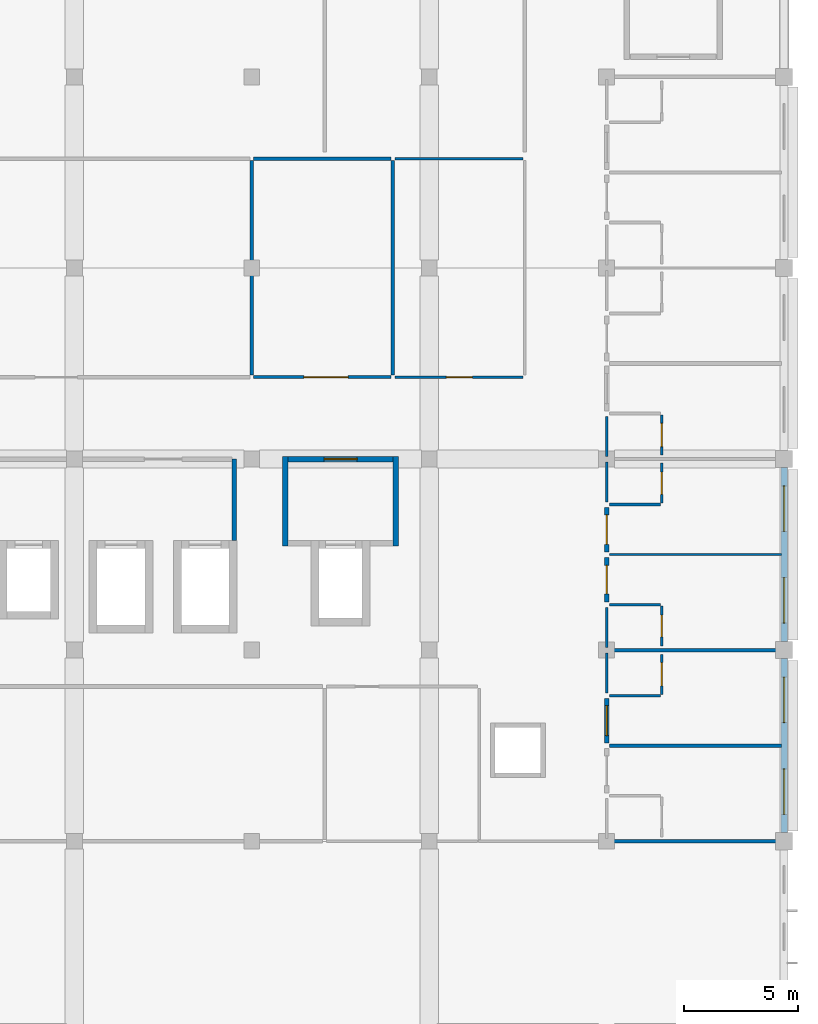
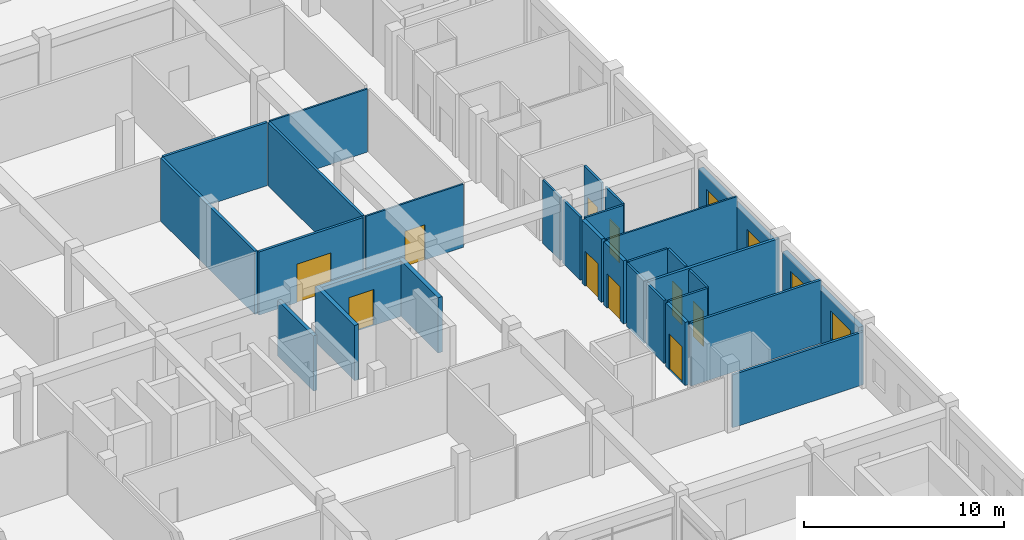
# One storey, part 35 of 53: 30 walls, 10 doors, 4 windows, 14 openings.
"""IFC4 building model written with IfcOpenShell, lengths in metres."""

from ifc_helpers import new_model, si_unit, direction, frame, frame_2d, origin, place, context, subcontext, project, spatial, rectangle, extrude, material, layer, layer_set, type_object, element, fill, save


model = new_model("IFC4")

# Units and contexts
model_context = context("Model", 3, precision=1e-05, world=origin(), true_north=direction((0.0, 1.0)))
body_context = subcontext(model_context, "Body", "Model", "MODEL_VIEW")
ifc_project = project(units=[si_unit("LENGTHUNIT", "METRE"), si_unit("AREAUNIT", "SQUARE_METRE"), si_unit("VOLUMEUNIT", "CUBIC_METRE"), si_unit("PLANEANGLEUNIT", "RADIAN"), si_unit("MASSUNIT", "GRAM", prefix="KILO"), si_unit("THERMODYNAMICTEMPERATUREUNIT", "KELVIN"), si_unit("POWERUNIT", "WATT")], contexts=[model_context])

# Site, building, storey
site_placement = place(None, origin())
site = spatial("IfcSite", under=ifc_project, at=site_placement, CompositionType="ELEMENT")
building_placement = place(site_placement, origin())
building = spatial("IfcBuilding", under=site, at=building_placement, Name="Srebrne Nadtorze General Hospital", CompositionType="ELEMENT")
storey_placement = place(building_placement, frame((0.0, 0.0, 18.0)))
storey = spatial("IfcBuildingStorey", under=building, at=storey_placement, Name="L04", CompositionType="ELEMENT", Elevation=18.0)

# Walls
ifc_material_1 = material(Name="Gypsum Healthcare Partition")
ifc_layer_1 = layer(ifc_material_1, 0.139892578125)
ifc_layer_set_1 = layer_set([ifc_layer_1], Name="Gypsum Healthcare Partition")
wall_type_1 = type_object("IfcWallType", Name="Clinical partition 140", PredefinedType="PARTITIONING", material=ifc_layer_set_1)
wall_1_placement = place(storey_placement, frame((140.52001953125, 33.60009765625, 0.0), z_axis=(0.0, 0.0, 1.0), x_axis=(1.0, 0.0, 0.0)))
element("IfcWall", 1, at=wall_1_placement, inside=storey, type_object=wall_type_1, Name="Ward inter-room partition WL-INT-L04-1776", PredefinedType="PARTITIONING", context=body_context, shape_type="SweptSolid", body=[
    extrude(rectangle(XDim=7.56005859375, YDim=0.139892578125, at=frame_2d((3.780029296875, 0.0))), origin(), (0.0, 0.0, 1.0), 3.235107421875),
])
wall_2_placement = place(storey_placement, frame((140.52001953125, 37.800048828125, 0.0), z_axis=(0.0, 0.0, 1.0), x_axis=(1.0, 0.0, 0.0)))
element("IfcWall", 2, at=wall_2_placement, inside=storey, type_object=wall_type_1, Name="Ward inter-room partition WL-INT-L04-1777", PredefinedType="PARTITIONING", context=body_context, shape_type="SweptSolid", body=[
    extrude(rectangle(XDim=7.56005859375, YDim=0.139892578125, at=frame_2d((3.780029296875, 0.0))), origin(), (0.0, 0.0, 1.0), 3.864990234375),
])

# Wall, opening, door
wall_3_placement = place(storey_placement, frame((124.885009765625, 54.0, 0.0), z_axis=(0.0, 0.0, 1.0), x_axis=(1.0, 0.0, 0.0)))
wall_3 = element("IfcWall", 3, at=wall_3_placement, inside=storey, type_object=wall_type_1, Name="Clean Utility wall WL-INT-L04-1842", PredefinedType="PARTITIONING", context=body_context, shape_type="SweptSolid", body=[
    extrude(rectangle(XDim=6.030029296875, YDim=0.139892578125, at=frame_2d((3.01513671875, 0.0))), origin(), (0.0, 0.0, 1.0), 3.864990234375),
])
opening_1_placement = place(wall_3_placement, frame((2.20263671875, 0.0, 0.0)))
opening_1 = element("IfcOpeningElement", 4, at=opening_1_placement, cuts=wall_3, Name="Opening D-L04-0350", PredefinedType="OPENING", context=body_context, shape_type="SweptSolid", body=[
    extrude(rectangle(XDim=1.949951171875, YDim=2.35009765625, at=frame_2d((0.97509765625, 1.175048828125))), frame((0.0, 0.08203125, 0.0), z_axis=(0.0, -1.0, 0.0), x_axis=(1.0, 0.0, 0.0)), (0.0, 0.0, 1.0), 0.163818359375),
])
ifc_material_2 = material(Name="Anodised Aluminium", Category="aluminium")
door_type_1 = type_object("IfcDoorType", Name="Double leaf door 1950x2350", OperationType="DOUBLE_DOOR_SINGLE_SWING", PredefinedType="DOOR", material=ifc_material_2)
door_1_placement = place(opening_1_placement, origin())
door_1 = element("IfcDoor", 5, at=door_1_placement, inside=storey, type_object=door_type_1, Name="Clean Utility door D-L04-0350", OperationType="DOUBLE_DOOR_SINGLE_SWING", OverallHeight=2.35009765625, OverallWidth=1.949951171875, PredefinedType="DOOR", context=body_context, shape_type="SweptSolid", body=[
    extrude(rectangle(XDim=1.949951171875, YDim=2.35009765625, at=frame_2d((0.97509765625, 1.175048828125))), frame((0.0, 0.02490234375, 0.0), z_axis=(0.0, -1.0, 0.0), x_axis=(1.0, 0.0, 0.0)), (0.0, 0.0, 1.0), 0.050048828125),
])
fill(opening_1, door_1)

# Walls
wall_4_placement = place(storey_placement, frame((124.885009765625, 63.60009765625, 0.0), z_axis=(0.0, 0.0, 1.0), x_axis=(1.0, 0.0, 0.0)))
element("IfcWall", 6, at=wall_4_placement, inside=storey, type_object=wall_type_1, Name="Clean Utility wall WL-INT-L04-1843", PredefinedType="PARTITIONING", context=body_context, shape_type="SweptSolid", body=[
    extrude(rectangle(XDim=6.030029296875, YDim=0.139892578125, at=frame_2d((3.01513671875, 0.0))), origin(), (0.0, 0.0, 1.0), 3.864990234375),
])
wall_5_placement = place(storey_placement, frame((131.0, 54.0849609375, 0.0), z_axis=(0.0, 0.0, 1.0), x_axis=(0.0, 1.0, 0.0)))
element("IfcWall", 7, at=wall_5_placement, inside=storey, type_object=wall_type_1, Name="Clean Utility wall WL-INT-L04-1844", PredefinedType="PARTITIONING", context=body_context, shape_type="SweptSolid", body=[
    extrude(rectangle(XDim=9.429931640625, YDim=0.139892578125, at=frame_2d((4.71484375, 0.0))), origin(), (0.0, 0.0, 1.0), 3.864990234375),
])
ifc_material_3 = material(Name="Gypsum Healthcare Partition")
ifc_layer_2 = layer(ifc_material_3, 0.159912109375)
ifc_layer_set_2 = layer_set([ifc_layer_2], Name="Gypsum Healthcare Partition")
wall_type_2 = type_object("IfcWallType", Name="Clinical partition 160", PredefinedType="PARTITIONING", material=ifc_layer_set_2)
wall_6_placement = place(storey_placement, frame((140.52001953125, 42.0, 0.0), z_axis=(0.0, 0.0, 1.0), x_axis=(1.0, 0.0, 0.0)))
element("IfcWall", 8, at=wall_6_placement, inside=storey, type_object=wall_type_2, Name="Ward inter-room partition WL-INT-L04-1782", PredefinedType="PARTITIONING", context=body_context, shape_type="SweptSolid", body=[
    extrude(rectangle(XDim=7.56005859375, YDim=0.159912109375, at=frame_2d((3.780029296875, 0.0))), origin(), (0.0, 0.0, 1.0), 3.864990234375),
])
wall_7_placement = place(storey_placement, frame((124.800048828125, 54.0849609375, 0.0), z_axis=(0.0, 0.0, 1.0), x_axis=(0.0, 1.0, 0.0)))
element("IfcWall", 9, at=wall_7_placement, inside=storey, type_object=wall_type_2, Name="Nursing Station wall WL-INT-L04-1841", PredefinedType="PARTITIONING", context=body_context, shape_type="SweptSolid", body=[
    extrude(rectangle(XDim=9.429931640625, YDim=0.159912109375, at=frame_2d((4.71484375, 0.0))), origin(), (0.0, 0.0, 1.0), 3.864990234375),
])
ifc_material_4 = material(Name="Gypsum Healthcare Partition")
ifc_layer_3 = layer(ifc_material_4, 0.199951171875)
ifc_layer_set_3 = layer_set([ifc_layer_3], Name="Gypsum Healthcare Partition")
wall_type_3 = type_object("IfcWallType", Name="Compartment wall 200", PredefinedType="STANDARD", material=ifc_layer_set_3)
wall_8_placement = place(storey_placement, frame((124.02001953125, 46.81005859375, 0.0), z_axis=(0.0, 0.0, 1.0), x_axis=(0.0, 1.0, 0.0)))
element("IfcWall", 10, at=wall_8_placement, inside=storey, type_object=wall_type_3, Name="Lift lobby side wall WL-INT-L04-1074", PredefinedType="STANDARD", context=body_context, shape_type="SweptSolid", body=[
    extrude(rectangle(XDim=3.58984375, YDim=0.199951171875, at=frame_2d((1.794921875, 0.0))), origin(), (0.0, 0.0, 1.0), 3.385009765625),
])

# Wall, opening, door
wall_9_placement = place(storey_placement, frame((140.39990234375, 37.919921875, 0.0), z_axis=(0.0, 0.0, 1.0), x_axis=(0.0, 1.0, 0.0)))
wall_9 = element("IfcWall", 11, at=wall_9_placement, inside=storey, type_object=wall_type_3, Name="Ward corridor wall WL-INT-L04-1783", PredefinedType="STANDARD", context=body_context, shape_type="SweptSolid", body=[
    extrude(rectangle(XDim=1.9599609375, YDim=0.199951171875, at=frame_2d((0.97998046875, 0.0))), origin(), (0.0, 0.0, 1.0), 3.864990234375),
])
opening_2_placement = place(wall_9_placement, frame((0.320068359375, 0.0, 0.0)))
opening_2 = element("IfcOpeningElement", 12, at=opening_2_placement, cuts=wall_9, Name="Opening D-L04-0328", PredefinedType="OPENING", context=body_context, shape_type="SweptSolid", body=[
    extrude(rectangle(XDim=1.320068359375, YDim=2.199951171875, at=frame_2d((0.66015625, 1.10009765625))), frame((0.0, 0.11181640625, 0.0), z_axis=(0.0, -1.0, 0.0), x_axis=(1.0, 0.0, 0.0)), (0.0, 0.0, 1.0), 0.223876953125),
])
ifc_material_5 = material(Name="Anodised Aluminium", Category="aluminium")
door_type_2 = type_object("IfcDoorType", Name="Single leaf door 1320x2200", OperationType="NOTDEFINED", PredefinedType="DOOR", material=ifc_material_5)
door_2_placement = place(opening_2_placement, frame((1.320068359375, 0.0, 0.0), z_axis=(0.0, 0.0, 1.0), x_axis=(-1.0, 0.0, 0.0)))
door_2 = element("IfcDoor", 13, at=door_2_placement, inside=storey, type_object=door_type_2, Name="Ward patient room door D-L04-0328", OperationType="SINGLE_SWING_RIGHT", OverallHeight=2.199951171875, OverallWidth=1.320068359375, PredefinedType="DOOR", context=body_context, shape_type="SweptSolid", body=[
    extrude(rectangle(XDim=1.320068359375, YDim=2.199951171875, at=frame_2d((0.66015625, 1.10009765625))), frame((0.0, 0.02490234375, 0.0), z_axis=(0.0, -1.0, 0.0), x_axis=(1.0, 0.0, 0.0)), (0.0, 0.0, 1.0), 0.050048828125),
])
fill(opening_2, door_2)

wall_10_placement = place(storey_placement, frame((140.39990234375, 44.1201171875, 0.0), z_axis=(0.0, 0.0, 1.0), x_axis=(0.0, 1.0, 0.0)))
wall_10 = element("IfcWall", 14, at=wall_10_placement, inside=storey, type_object=wall_type_3, Name="Ward corridor wall WL-INT-L04-1788", PredefinedType="STANDARD", context=body_context, shape_type="SweptSolid", body=[
    extrude(rectangle(XDim=1.9599609375, YDim=0.199951171875, at=frame_2d((0.97998046875, 0.0))), origin(), (0.0, 0.0, 1.0), 3.864990234375),
])
opening_3_placement = place(wall_10_placement, frame((0.35009765625, 0.0, 0.0)))
opening_3 = element("IfcOpeningElement", 15, at=opening_3_placement, cuts=wall_10, Name="Opening D-L04-0330", PredefinedType="OPENING", context=body_context, shape_type="SweptSolid", body=[
    extrude(rectangle(XDim=1.260009765625, YDim=2.10009765625, at=frame_2d((0.6298828125, 1.050048828125))), frame((0.0, 0.11181640625, 0.0), z_axis=(0.0, -1.0, 0.0), x_axis=(1.0, 0.0, 0.0)), (0.0, 0.0, 1.0), 0.223876953125),
])
ifc_material_6 = material(Name="Anodised Aluminium", Category="aluminium")
door_type_3 = type_object("IfcDoorType", Name="Single leaf door 1260x2100", OperationType="NOTDEFINED", PredefinedType="DOOR", material=ifc_material_6)
door_3_placement = place(opening_3_placement, frame((1.260009765625, 0.0, 0.0), z_axis=(0.0, 0.0, 1.0), x_axis=(-1.0, 0.0, 0.0)))
door_3 = element("IfcDoor", 16, at=door_3_placement, inside=storey, type_object=door_type_3, Name="Ward patient room door D-L04-0330", OperationType="SINGLE_SWING_RIGHT", OverallHeight=2.10009765625, OverallWidth=1.260009765625, PredefinedType="DOOR", context=body_context, shape_type="SweptSolid", body=[
    extrude(rectangle(XDim=1.260009765625, YDim=2.10009765625, at=frame_2d((0.6298828125, 1.050048828125))), frame((0.0, 0.02490234375, 0.0), z_axis=(0.0, -1.0, 0.0), x_axis=(1.0, 0.0, 0.0)), (0.0, 0.0, 1.0), 0.050048828125),
])
fill(opening_3, door_3)

wall_11_placement = place(storey_placement, frame((140.39990234375, 46.320068359375, 0.0), z_axis=(0.0, 0.0, 1.0), x_axis=(0.0, 1.0, 0.0)))
wall_11 = element("IfcWall", 17, at=wall_11_placement, inside=storey, type_object=wall_type_3, Name="Ward corridor wall WL-INT-L04-1793", PredefinedType="STANDARD", context=body_context, shape_type="SweptSolid", body=[
    extrude(rectangle(XDim=1.9599609375, YDim=0.199951171875, at=frame_2d((0.97998046875, 0.0))), origin(), (0.0, 0.0, 1.0), 3.864990234375),
])
opening_4_placement = place(wall_11_placement, frame((0.330078125, 0.0, 0.0)))
opening_4 = element("IfcOpeningElement", 18, at=opening_4_placement, cuts=wall_11, Name="Opening D-L04-0332", PredefinedType="OPENING", context=body_context, shape_type="SweptSolid", body=[
    extrude(rectangle(XDim=1.300048828125, YDim=2.14990234375, at=frame_2d((0.64990234375, 1.074951171875))), frame((0.0, 0.11181640625, 0.0), z_axis=(0.0, -1.0, 0.0), x_axis=(1.0, 0.0, 0.0)), (0.0, 0.0, 1.0), 0.223876953125),
])
ifc_material_7 = material(Name="Anodised Aluminium", Category="aluminium")
door_type_4 = type_object("IfcDoorType", Name="Single leaf door 1300x2150", OperationType="NOTDEFINED", PredefinedType="DOOR", material=ifc_material_7)
door_4_placement = place(opening_4_placement, frame((1.300048828125, 0.0, 0.0), z_axis=(0.0, 0.0, 1.0), x_axis=(-1.0, 0.0, 0.0)))
door_4 = element("IfcDoor", 19, at=door_4_placement, inside=storey, type_object=door_type_4, Name="Ward patient room door D-L04-0332", OperationType="SINGLE_SWING_RIGHT", OverallHeight=2.14990234375, OverallWidth=1.300048828125, PredefinedType="DOOR", context=body_context, shape_type="SweptSolid", body=[
    extrude(rectangle(XDim=1.300048828125, YDim=2.14990234375, at=frame_2d((0.64990234375, 1.074951171875))), frame((0.0, 0.02490234375, 0.0), z_axis=(0.0, -1.0, 0.0), x_axis=(1.0, 0.0, 0.0)), (0.0, 0.0, 1.0), 0.050048828125),
])
fill(opening_4, door_4)

# Walls
ifc_material_8 = material(Name="Gypsum Healthcare Partition")
ifc_layer_4 = layer(ifc_material_8, 0.239990234375)
ifc_layer_set_4 = layer_set([ifc_layer_4], Name="Gypsum Healthcare Partition")
wall_type_4 = type_object("IfcWallType", Name="Corridor fire wall 240", PredefinedType="STANDARD", material=ifc_layer_set_4)
for number, where, z_axis, x_axis, name in (
    (20, (126.280029296875, 46.570068359375, 0.0), (0.0, 0.0, 1.0), (0.0, 1.0, 0.0), "FF lift lobby wall WL-INT-L04-1068"),
    (21, (131.1201171875, 46.570068359375, 0.0), (0.0, 0.0, 1.0), (0.0, 1.0, 0.0), "FF lift lobby wall WL-INT-L04-1069"),
):
    element("IfcWall", number, at=place(storey_placement, frame(where, z_axis=z_axis, x_axis=x_axis)), inside=storey, type_object=wall_type_4, Name=name, PredefinedType="STANDARD", context=body_context, shape_type="SweptSolid", body=[
        extrude(rectangle(XDim=3.949951171875, YDim=0.239990234375, at=frame_2d((1.97509765625, 0.0))), origin(), (0.0, 0.0, 1.0), 3.385009765625),
    ])

# Wall, opening, door
wall_12_placement = place(storey_placement, frame((126.39990234375, 50.39990234375, 0.0), z_axis=(0.0, 0.0, 1.0), x_axis=(1.0, 0.0, 0.0)))
wall_12 = element("IfcWall", 22, at=wall_12_placement, inside=storey, type_object=wall_type_4, Name="FF lift lobby front wall WL-INT-L04-1072", PredefinedType="STANDARD", context=body_context, shape_type="SweptSolid", body=[
    extrude(rectangle(XDim=4.60009765625, YDim=0.239990234375, at=frame_2d((2.300048828125, 0.0))), origin(), (0.0, 0.0, 1.0), 3.385009765625),
])
opening_5_placement = place(wall_12_placement, frame((1.574951171875, 0.0, 0.0)))
opening_5 = element("IfcOpeningElement", 23, at=opening_5_placement, cuts=wall_12, Name="Opening D-L04-0145", PredefinedType="OPENING", context=body_context, shape_type="SweptSolid", body=[
    extrude(rectangle(XDim=1.449951171875, YDim=2.199951171875, at=frame_2d((0.72509765625, 1.10009765625))), frame((0.0, 0.1318359375, 0.0), z_axis=(0.0, -1.0, 0.0), x_axis=(1.0, 0.0, 0.0)), (0.0, 0.0, 1.0), 0.263916015625),
])
ifc_material_9 = material(Name="Anodised Aluminium", Category="aluminium")
door_type_5 = type_object("IfcDoorType", Name="Double leaf door 1450x2200", OperationType="DOUBLE_DOOR_SINGLE_SWING", PredefinedType="DOOR", material=ifc_material_9)
door_5_placement = place(opening_5_placement, origin())
door_5 = element("IfcDoor", 24, at=door_5_placement, inside=storey, type_object=door_type_5, Name="Firefighting lift lobby door D-L04-0145", OperationType="DOUBLE_DOOR_SINGLE_SWING", OverallHeight=2.199951171875, OverallWidth=1.449951171875, PredefinedType="DOOR", context=body_context, shape_type="SweptSolid", body=[
    extrude(rectangle(XDim=1.449951171875, YDim=2.199951171875, at=frame_2d((0.72509765625, 1.10009765625))), frame((0.0, 0.02490234375, 0.0), z_axis=(0.0, -1.0, 0.0), x_axis=(1.0, 0.0, 0.0)), (0.0, 0.0, 1.0), 0.050048828125),
])
fill(opening_5, door_5)

# Walls
ifc_material_10 = material(Name="Gypsum Healthcare Partition")
ifc_layer_5 = layer(ifc_material_10, 0.1201171875)
ifc_layer_set_5 = layer_set([ifc_layer_5], Name="Gypsum Healthcare Partition")
wall_type_5 = type_object("IfcWallType", Name="En-suite partition 120", PredefinedType="PARTITIONING", material=ifc_layer_set_5)
wall_13_placement = place(storey_placement, frame((140.39990234375, 40.1201171875, 0.0), z_axis=(0.0, 0.0, 1.0), x_axis=(0.0, 1.0, 0.0)))
element("IfcWall", 25, at=wall_13_placement, inside=storey, type_object=wall_type_5, Name="En-suite corridor wall WL-INT-L04-1784", PredefinedType="PARTITIONING", context=body_context, shape_type="SweptSolid", body=[
    extrude(rectangle(XDim=1.759765625, YDim=0.1201171875, at=frame_2d((0.8798828125, 0.0))), origin(), (0.0, 0.0, 1.0), 3.864990234375),
])
wall_14_placement = place(storey_placement, frame((140.52001953125, 40.0, 0.0), z_axis=(0.0, 0.0, 1.0), x_axis=(1.0, 0.0, 0.0)))
element("IfcWall", 26, at=wall_14_placement, inside=storey, type_object=wall_type_5, Name="En-suite wet wall WL-INT-L04-1785", PredefinedType="PARTITIONING", context=body_context, shape_type="SweptSolid", body=[
    extrude(rectangle(XDim=2.239990234375, YDim=0.1201171875, at=frame_2d((1.1201171875, 0.0))), origin(), (0.0, 0.0, 1.0), 3.864990234375),
])

# Wall, opening, door
wall_15_placement = place(storey_placement, frame((142.820068359375, 40.06005859375, 0.0), z_axis=(0.0, 0.0, 1.0), x_axis=(0.0, 1.0, 0.0)))
wall_15 = element("IfcWall", 27, at=wall_15_placement, inside=storey, type_object=wall_type_5, Name="En-suite wet wall WL-INT-L04-1786", PredefinedType="PARTITIONING", context=body_context, shape_type="SweptSolid", body=[
    extrude(rectangle(XDim=1.760009765625, YDim=0.1201171875, at=frame_2d((0.8798828125, 0.0))), origin(), (0.0, 0.0, 1.0), 3.864990234375),
])
opening_6_placement = place(wall_15_placement, frame((0.3701171875, 0.0, 0.0)))
opening_6 = element("IfcOpeningElement", 28, at=opening_6_placement, cuts=wall_15, Name="Opening D-L04-0329", PredefinedType="OPENING", context=body_context, shape_type="SweptSolid", body=[
    extrude(rectangle(XDim=1.02001953125, YDim=2.14990234375, at=frame_2d((0.510009765625, 1.074951171875))), frame((0.0, 0.072021484375, 0.0), z_axis=(0.0, -1.0, 0.0), x_axis=(1.0, 0.0, 0.0)), (0.0, 0.0, 1.0), 0.14404296875),
])
ifc_material_11 = material(Name="Anodised Aluminium", Category="aluminium")
door_type_6 = type_object("IfcDoorType", Name="Single leaf door 1020x2150", OperationType="NOTDEFINED", PredefinedType="DOOR", material=ifc_material_11)
door_6_placement = place(opening_6_placement, origin())
door_6 = element("IfcDoor", 29, at=door_6_placement, inside=storey, type_object=door_type_6, Name="En-suite bathroom door D-L04-0329", OperationType="SINGLE_SWING_RIGHT", OverallHeight=2.14990234375, OverallWidth=1.02001953125, PredefinedType="DOOR", context=body_context, shape_type="SweptSolid", body=[
    extrude(rectangle(XDim=1.02001953125, YDim=2.14990234375, at=frame_2d((0.510009765625, 1.074951171875))), frame((0.0, 0.02490234375, 0.0), z_axis=(0.0, -1.0, 0.0), x_axis=(1.0, 0.0, 0.0)), (0.0, 0.0, 1.0), 0.050048828125),
])
fill(opening_6, door_6)

# Walls
wall_16_placement = place(storey_placement, frame((140.39990234375, 42.1201171875, 0.0), z_axis=(0.0, 0.0, 1.0), x_axis=(0.0, 1.0, 0.0)))
element("IfcWall", 30, at=wall_16_placement, inside=storey, type_object=wall_type_5, Name="En-suite corridor wall WL-INT-L04-1789", PredefinedType="PARTITIONING", context=body_context, shape_type="SweptSolid", body=[
    extrude(rectangle(XDim=1.759765625, YDim=0.1201171875, at=frame_2d((0.8798828125, 0.0))), origin(), (0.0, 0.0, 1.0), 3.864990234375),
])
wall_17_placement = place(storey_placement, frame((140.52001953125, 44.0, 0.0), z_axis=(0.0, 0.0, 1.0), x_axis=(1.0, 0.0, 0.0)))
element("IfcWall", 31, at=wall_17_placement, inside=storey, type_object=wall_type_5, Name="En-suite wet wall WL-INT-L04-1790", PredefinedType="PARTITIONING", context=body_context, shape_type="SweptSolid", body=[
    extrude(rectangle(XDim=2.239990234375, YDim=0.1201171875, at=frame_2d((1.1201171875, 0.0))), origin(), (0.0, 0.0, 1.0), 3.864990234375),
])

# Wall, opening, door
wall_18_placement = place(storey_placement, frame((142.820068359375, 42.179931640625, 0.0), z_axis=(0.0, 0.0, 1.0), x_axis=(0.0, 1.0, 0.0)))
wall_18 = element("IfcWall", 32, at=wall_18_placement, inside=storey, type_object=wall_type_5, Name="En-suite wet wall WL-INT-L04-1791", PredefinedType="PARTITIONING", context=body_context, shape_type="SweptSolid", body=[
    extrude(rectangle(XDim=1.760009765625, YDim=0.1201171875, at=frame_2d((0.8798828125, 0.0))), origin(), (0.0, 0.0, 1.0), 3.864990234375),
])
opening_7_placement = place(wall_18_placement, frame((0.39990234375, 0.0, 0.0)))
opening_7 = element("IfcOpeningElement", 33, at=opening_7_placement, cuts=wall_18, Name="Opening D-L04-0331", PredefinedType="OPENING", context=body_context, shape_type="SweptSolid", body=[
    extrude(rectangle(XDim=0.9599609375, YDim=2.1201171875, at=frame_2d((0.47998046875, 1.06005859375))), frame((0.0, 0.072021484375, 0.0), z_axis=(0.0, -1.0, 0.0), x_axis=(1.0, 0.0, 0.0)), (0.0, 0.0, 1.0), 0.14404296875),
])
ifc_material_12 = material(Name="Anodised Aluminium", Category="aluminium")
door_type_7 = type_object("IfcDoorType", Name="Single leaf door 960x2120", OperationType="NOTDEFINED", PredefinedType="DOOR", material=ifc_material_12)
door_7_placement = place(opening_7_placement, origin())
door_7 = element("IfcDoor", 34, at=door_7_placement, inside=storey, type_object=door_type_7, Name="En-suite bathroom door D-L04-0331", OperationType="SINGLE_SWING_RIGHT", OverallHeight=2.1201171875, OverallWidth=0.9599609375, PredefinedType="DOOR", context=body_context, shape_type="SweptSolid", body=[
    extrude(rectangle(XDim=0.9599609375, YDim=2.1201171875, at=frame_2d((0.47998046875, 1.06005859375))), frame((0.0, 0.02490234375, 0.0), z_axis=(0.0, -1.0, 0.0), x_axis=(1.0, 0.0, 0.0)), (0.0, 0.0, 1.0), 0.050048828125),
])
fill(opening_7, door_7)

# Walls
wall_19_placement = place(storey_placement, frame((140.39990234375, 48.52001953125, 0.0), z_axis=(0.0, 0.0, 1.0), x_axis=(0.0, 1.0, 0.0)))
element("IfcWall", 35, at=wall_19_placement, inside=storey, type_object=wall_type_5, Name="En-suite corridor wall WL-INT-L04-1794", PredefinedType="PARTITIONING", context=body_context, shape_type="SweptSolid", body=[
    extrude(rectangle(XDim=1.760009765625, YDim=0.1201171875, at=frame_2d((0.8798828125, 0.0))), origin(), (0.0, 0.0, 1.0), 3.864990234375),
])
wall_20_placement = place(storey_placement, frame((140.52001953125, 48.39990234375, 0.0), z_axis=(0.0, 0.0, 1.0), x_axis=(1.0, 0.0, 0.0)))
element("IfcWall", 36, at=wall_20_placement, inside=storey, type_object=wall_type_5, Name="En-suite wet wall WL-INT-L04-1795", PredefinedType="PARTITIONING", context=body_context, shape_type="SweptSolid", body=[
    extrude(rectangle(XDim=2.239990234375, YDim=0.1201171875, at=frame_2d((1.1201171875, 0.0))), origin(), (0.0, 0.0, 1.0), 3.864990234375),
])

# Wall, opening, door
wall_21_placement = place(storey_placement, frame((142.820068359375, 48.4599609375, 0.0), z_axis=(0.0, 0.0, 1.0), x_axis=(0.0, 1.0, 0.0)))
wall_21 = element("IfcWall", 37, at=wall_21_placement, inside=storey, type_object=wall_type_5, Name="En-suite wet wall WL-INT-L04-1796", PredefinedType="PARTITIONING", context=body_context, shape_type="SweptSolid", body=[
    extrude(rectangle(XDim=1.760009765625, YDim=0.1201171875, at=frame_2d((0.8798828125, 0.0))), origin(), (0.0, 0.0, 1.0), 3.864990234375),
])
opening_8_placement = place(wall_21_placement, frame((0.389892578125, 0.0, 0.0)))
opening_8 = element("IfcOpeningElement", 38, at=opening_8_placement, cuts=wall_21, Name="Opening D-L04-0333", PredefinedType="OPENING", context=body_context, shape_type="SweptSolid", body=[
    extrude(rectangle(XDim=0.97998046875, YDim=2.10009765625, at=frame_2d((0.489990234375, 1.050048828125))), frame((0.0, 0.072021484375, 0.0), z_axis=(0.0, -1.0, 0.0), x_axis=(1.0, 0.0, 0.0)), (0.0, 0.0, 1.0), 0.14404296875),
])
ifc_material_13 = material(Name="Anodised Aluminium", Category="aluminium")
door_type_8 = type_object("IfcDoorType", Name="Single leaf door 980x2100", OperationType="NOTDEFINED", PredefinedType="DOOR", material=ifc_material_13)
door_8_placement = place(opening_8_placement, origin())
door_8 = element("IfcDoor", 39, at=door_8_placement, inside=storey, type_object=door_type_8, Name="En-suite bathroom door D-L04-0333", OperationType="SINGLE_SWING_RIGHT", OverallHeight=2.10009765625, OverallWidth=0.97998046875, PredefinedType="DOOR", context=body_context, shape_type="SweptSolid", body=[
    extrude(rectangle(XDim=0.97998046875, YDim=2.10009765625, at=frame_2d((0.489990234375, 1.050048828125))), frame((0.0, 0.02490234375, 0.0), z_axis=(0.0, -1.0, 0.0), x_axis=(1.0, 0.0, 0.0)), (0.0, 0.0, 1.0), 0.050048828125),
])
fill(opening_8, door_8)

# Wall
wall_22_placement = place(storey_placement, frame((140.39990234375, 50.52001953125, 0.0), z_axis=(0.0, 0.0, 1.0), x_axis=(0.0, 1.0, 0.0)))
element("IfcWall", 40, at=wall_22_placement, inside=storey, type_object=wall_type_5, Name="En-suite corridor wall WL-INT-L04-1799", PredefinedType="PARTITIONING", context=body_context, shape_type="SweptSolid", body=[
    extrude(rectangle(XDim=1.760009765625, YDim=0.1201171875, at=frame_2d((0.8798828125, 0.0))), origin(), (0.0, 0.0, 1.0), 3.864990234375),
])

# Wall, opening, door
wall_23_placement = place(storey_placement, frame((142.820068359375, 50.580078125, 0.0), z_axis=(0.0, 0.0, 1.0), x_axis=(0.0, 1.0, 0.0)))
wall_23 = element("IfcWall", 41, at=wall_23_placement, inside=storey, type_object=wall_type_5, Name="En-suite wet wall WL-INT-L04-1801", PredefinedType="PARTITIONING", context=body_context, shape_type="SweptSolid", body=[
    extrude(rectangle(XDim=1.760009765625, YDim=0.1201171875, at=frame_2d((0.8798828125, 0.0))), origin(), (0.0, 0.0, 1.0), 3.864990234375),
])
opening_9_placement = place(wall_23_placement, frame((0.3701171875, 0.0, 0.0)))
opening_9 = element("IfcOpeningElement", 42, at=opening_9_placement, cuts=wall_23, Name="Opening D-L04-0335", PredefinedType="OPENING", context=body_context, shape_type="SweptSolid", body=[
    extrude(rectangle(XDim=1.02001953125, YDim=2.14990234375, at=frame_2d((0.510009765625, 1.074951171875))), frame((0.0, 0.072021484375, 0.0), z_axis=(0.0, -1.0, 0.0), x_axis=(1.0, 0.0, 0.0)), (0.0, 0.0, 1.0), 0.14404296875),
])
door_9_placement = place(opening_9_placement, origin())
door_9 = element("IfcDoor", 43, at=door_9_placement, inside=storey, type_object=door_type_6, Name="En-suite bathroom door D-L04-0335", OperationType="SINGLE_SWING_RIGHT", OverallHeight=2.14990234375, OverallWidth=1.02001953125, PredefinedType="DOOR", context=body_context, shape_type="SweptSolid", body=[
    extrude(rectangle(XDim=1.02001953125, YDim=2.14990234375, at=frame_2d((0.510009765625, 1.074951171875))), frame((0.0, 0.02490234375, 0.0), z_axis=(0.0, -1.0, 0.0), x_axis=(1.0, 0.0, 0.0)), (0.0, 0.0, 1.0), 0.050048828125),
])
fill(opening_9, door_9)

# Wall
ifc_material_14 = material(Name="Gypsum Healthcare Partition")
ifc_layer_6 = layer(ifc_material_14, 0.10009765625)
ifc_layer_set_6 = layer_set([ifc_layer_6], Name="Gypsum Healthcare Partition")
wall_type_6 = type_object("IfcWallType", Name="Shaft lining wall 100", PredefinedType="PARTITIONING", material=ifc_layer_set_6)
wall_24_placement = place(storey_placement, frame((140.52001953125, 46.199951171875, 0.0), z_axis=(0.0, 0.0, 1.0), x_axis=(1.0, 0.0, 0.0)))
element("IfcWall", 44, at=wall_24_placement, inside=storey, type_object=wall_type_6, Name="Ward inter-room partition WL-INT-L04-1787", PredefinedType="PARTITIONING", context=body_context, shape_type="SweptSolid", body=[
    extrude(rectangle(XDim=7.56005859375, YDim=0.10009765625, at=frame_2d((3.780029296875, 0.0))), origin(), (0.0, 0.0, 1.0), 3.864990234375),
])

# Wall, opening, door
wall_25_placement = place(storey_placement, frame((131.0849609375, 54.0, 0.0), z_axis=(0.0, 0.0, 1.0), x_axis=(1.0, 0.0, 0.0)))
wall_25 = element("IfcWall", 45, at=wall_25_placement, inside=storey, type_object=wall_type_6, Name="Dirty Utility wall WL-INT-L04-1845", PredefinedType="PARTITIONING", context=body_context, shape_type="SweptSolid", body=[
    extrude(rectangle(XDim=5.630126953125, YDim=0.10009765625, at=frame_2d((2.81494140625, 0.0))), origin(), (0.0, 0.0, 1.0), 3.864990234375),
])
opening_10_placement = place(wall_25_placement, frame((2.264892578125, 0.0, 0.0)))
opening_10 = element("IfcOpeningElement", 46, at=opening_10_placement, cuts=wall_25, Name="Opening D-L04-0351", PredefinedType="OPENING", context=body_context, shape_type="SweptSolid", body=[
    extrude(rectangle(XDim=1.14990234375, YDim=2.14990234375, at=frame_2d((0.574951171875, 1.074951171875))), frame((0.0, 0.06201171875, 0.0), z_axis=(0.0, -1.0, 0.0), x_axis=(1.0, 0.0, 0.0)), (0.0, 0.0, 1.0), 0.1240234375),
])
ifc_material_15 = material(Name="Anodised Aluminium", Category="aluminium")
door_type_9 = type_object("IfcDoorType", Name="Single leaf door 1150x2150", OperationType="NOTDEFINED", PredefinedType="DOOR", material=ifc_material_15)
door_10_placement = place(opening_10_placement, origin())
door_10 = element("IfcDoor", 47, at=door_10_placement, inside=storey, type_object=door_type_9, Name="Dirty Utility door D-L04-0351", OperationType="SINGLE_SWING_RIGHT", OverallHeight=2.14990234375, OverallWidth=1.14990234375, PredefinedType="DOOR", context=body_context, shape_type="SweptSolid", body=[
    extrude(rectangle(XDim=1.14990234375, YDim=2.14990234375, at=frame_2d((0.574951171875, 1.074951171875))), frame((0.0, 0.02490234375, 0.0), z_axis=(0.0, -1.0, 0.0), x_axis=(1.0, 0.0, 0.0)), (0.0, 0.0, 1.0), 0.050048828125),
])
fill(opening_10, door_10)

# Wall
wall_26_placement = place(storey_placement, frame((131.0849609375, 63.60009765625, 0.0), z_axis=(0.0, 0.0, 1.0), x_axis=(1.0, 0.0, 0.0)))
element("IfcWall", 48, at=wall_26_placement, inside=storey, type_object=wall_type_6, Name="Dirty Utility wall WL-INT-L04-1846", PredefinedType="PARTITIONING", context=body_context, shape_type="SweptSolid", body=[
    extrude(rectangle(XDim=5.630126953125, YDim=0.10009765625, at=frame_2d((2.81494140625, 0.0))), origin(), (0.0, 0.0, 1.0), 3.864990234375),
])

# Wall, openings, windows
ifc_material_16 = material(Name="Concrete C35/45 precast", Category="concrete")
ifc_layer_7 = layer(ifc_material_16, 0.280029296875)
ifc_layer_set_7 = layer_set([ifc_layer_7], Name="Concrete C35/45 precast")
wall_type_7 = type_object("IfcWallType", Name="Spandrel wall 280", PredefinedType="STANDARD", material=ifc_layer_set_7)
wall_27_placement = place(storey_placement, frame((148.199951171875, 33.97509765625, 0.0), z_axis=(0.0, 0.0, 1.0), x_axis=(0.0, 1.0, 0.0)))
wall_27 = element("IfcWall", 49, at=wall_27_placement, inside=storey, type_object=wall_type_7, Name="Exterior wall WL-ENV-L04-0397", PredefinedType="STANDARD", context=body_context, shape_type="SweptSolid", body=[
    extrude(rectangle(XDim=7.64990234375, YDim=0.280029296875, at=frame_2d((3.824951171875, 0.0))), origin(), (0.0, 0.0, 1.0), 3.235107421875),
])
opening_11_placement = place(wall_27_placement, frame((0.80908203125, 0.0, 0.800048828125)))
opening_11 = element("IfcOpeningElement", 50, at=opening_11_placement, cuts=wall_27, Name="Opening WN-L04-0621", PredefinedType="OPENING", context=body_context, shape_type="SweptSolid", body=[
    extrude(rectangle(XDim=2.0, YDim=1.75, at=frame_2d((1.0, 0.875))), frame((0.0, 0.15185546875, 0.0), z_axis=(0.0, -1.0, 0.0), x_axis=(1.0, 0.0, 0.0)), (0.0, 0.0, 1.0), 0.303955078125),
])
opening_12_placement = place(wall_27_placement, frame((4.841064453125, 0.0, 0.800048828125)))
opening_12 = element("IfcOpeningElement", 51, at=opening_12_placement, cuts=wall_27, Name="Opening WN-L04-0622", PredefinedType="OPENING", context=body_context, shape_type="SweptSolid", body=[
    extrude(rectangle(XDim=2.0, YDim=1.75, at=frame_2d((1.0, 0.875))), frame((0.0, 0.15185546875, 0.0), z_axis=(0.0, -1.0, 0.0), x_axis=(1.0, 0.0, 0.0)), (0.0, 0.0, 1.0), 0.303955078125),
])
ifc_material_17 = material(Name="Triple Low-E Glazing", Category="glass")
window_type_1 = type_object("IfcWindowType", Name="Punched clinical window 2000x1750", PartitioningType="DOUBLE_PANEL_VERTICAL", PredefinedType="WINDOW", material=ifc_material_17)
window_1_placement = place(opening_11_placement, origin())
window_1 = element("IfcWindow", 52, at=window_1_placement, inside=storey, type_object=window_type_1, Name="Clinical window WN-L04-0621", OverallHeight=1.75, OverallWidth=2.0, PartitioningType="DOUBLE_PANEL_VERTICAL", PredefinedType="WINDOW", context=body_context, shape_type="SweptSolid", body=[
    extrude(rectangle(XDim=2.0, YDim=1.75, at=frame_2d((1.0, 0.875))), frame((0.0, 0.030029296875, 0.0), z_axis=(0.0, -1.0, 0.0), x_axis=(1.0, 0.0, 0.0)), (0.0, 0.0, 1.0), 0.06005859375),
])
fill(opening_11, window_1)
window_2_placement = place(opening_12_placement, origin())
window_2 = element("IfcWindow", 53, at=window_2_placement, inside=storey, type_object=window_type_1, Name="Clinical window WN-L04-0622", OverallHeight=1.75, OverallWidth=2.0, PartitioningType="DOUBLE_PANEL_VERTICAL", PredefinedType="WINDOW", context=body_context, shape_type="SweptSolid", body=[
    extrude(rectangle(XDim=2.0, YDim=1.75, at=frame_2d((1.0, 0.875))), frame((0.0, 0.030029296875, 0.0), z_axis=(0.0, -1.0, 0.0), x_axis=(1.0, 0.0, 0.0)), (0.0, 0.0, 1.0), 0.06005859375),
])
fill(opening_12, window_2)

wall_28_placement = place(storey_placement, frame((148.199951171875, 42.375, 0.0), z_axis=(0.0, 0.0, 1.0), x_axis=(0.0, 1.0, 0.0)))
wall_28 = element("IfcWall", 54, at=wall_28_placement, inside=storey, type_object=wall_type_7, Name="Exterior wall WL-ENV-L04-0398", PredefinedType="STANDARD", context=body_context, shape_type="SweptSolid", body=[
    extrude(rectangle(XDim=7.64990234375, YDim=0.280029296875, at=frame_2d((3.824951171875, 0.0))), origin(), (0.0, 0.0, 1.0), 3.235107421875),
])
opening_13_placement = place(wall_28_placement, frame((0.80908203125, 0.0, 0.800048828125)))
opening_13 = element("IfcOpeningElement", 55, at=opening_13_placement, cuts=wall_28, Name="Opening WN-L04-0623", PredefinedType="OPENING", context=body_context, shape_type="SweptSolid", body=[
    extrude(rectangle(XDim=2.0, YDim=1.64990234375, at=frame_2d((1.0, 0.824951171875))), frame((0.0, 0.15185546875, 0.0), z_axis=(0.0, -1.0, 0.0), x_axis=(1.0, 0.0, 0.0)), (0.0, 0.0, 1.0), 0.303955078125),
])
opening_14_placement = place(wall_28_placement, frame((4.841064453125, 0.0, 0.800048828125)))
opening_14 = element("IfcOpeningElement", 56, at=opening_14_placement, cuts=wall_28, Name="Opening WN-L04-0624", PredefinedType="OPENING", context=body_context, shape_type="SweptSolid", body=[
    extrude(rectangle(XDim=2.0, YDim=1.64990234375, at=frame_2d((1.0, 0.824951171875))), frame((0.0, 0.15185546875, 0.0), z_axis=(0.0, -1.0, 0.0), x_axis=(1.0, 0.0, 0.0)), (0.0, 0.0, 1.0), 0.303955078125),
])
ifc_material_18 = material(Name="Triple Low-E Glazing", Category="glass")
window_type_2 = type_object("IfcWindowType", Name="Punched clinical window 2000x1650", PartitioningType="DOUBLE_PANEL_VERTICAL", PredefinedType="WINDOW", material=ifc_material_18)
window_3_placement = place(opening_13_placement, origin())
window_3 = element("IfcWindow", 57, at=window_3_placement, inside=storey, type_object=window_type_2, Name="Clinical window WN-L04-0623", OverallHeight=1.64990234375, OverallWidth=2.0, PartitioningType="DOUBLE_PANEL_VERTICAL", PredefinedType="WINDOW", context=body_context, shape_type="SweptSolid", body=[
    extrude(rectangle(XDim=2.0, YDim=1.64990234375, at=frame_2d((1.0, 0.824951171875))), frame((0.0, 0.030029296875, 0.0), z_axis=(0.0, -1.0, 0.0), x_axis=(1.0, 0.0, 0.0)), (0.0, 0.0, 1.0), 0.06005859375),
])
fill(opening_13, window_3)
window_4_placement = place(opening_14_placement, origin())
window_4 = element("IfcWindow", 58, at=window_4_placement, inside=storey, type_object=window_type_2, Name="Clinical window WN-L04-0624", OverallHeight=1.64990234375, OverallWidth=2.0, PartitioningType="DOUBLE_PANEL_VERTICAL", PredefinedType="WINDOW", context=body_context, shape_type="SweptSolid", body=[
    extrude(rectangle(XDim=2.0, YDim=1.64990234375, at=frame_2d((1.0, 0.824951171875))), frame((0.0, 0.030029296875, 0.0), z_axis=(0.0, -1.0, 0.0), x_axis=(1.0, 0.0, 0.0)), (0.0, 0.0, 1.0), 0.06005859375),
])
fill(opening_14, window_4)

save(model, "model.ifc")
